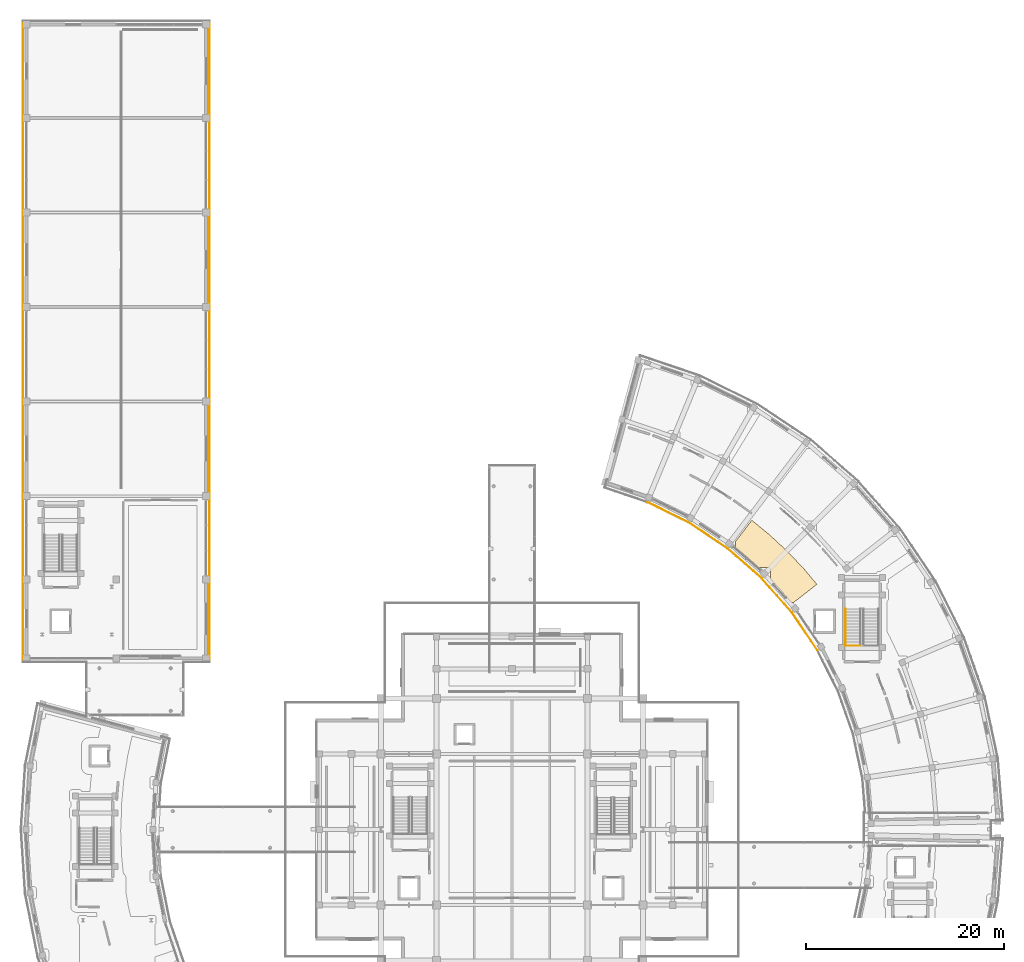
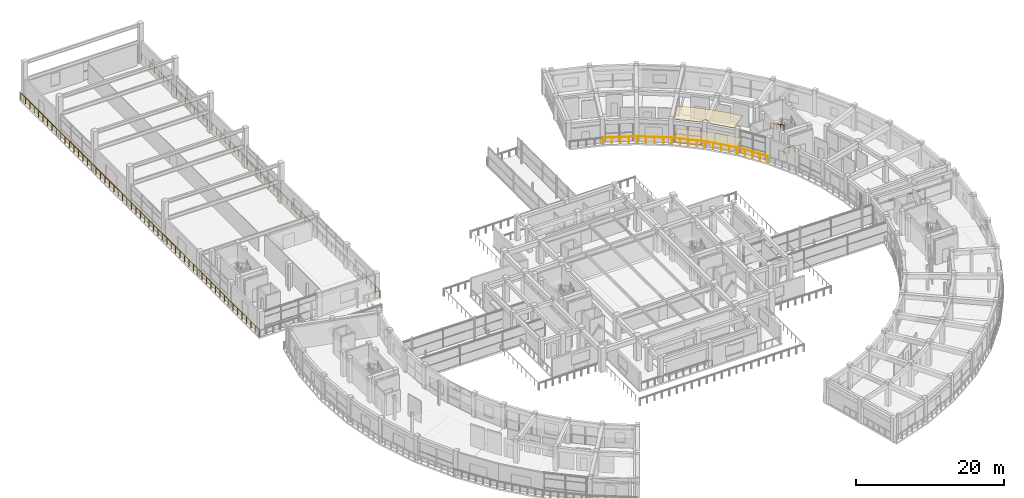
# One storey, part 70 of 72: 9 railings, 2 coverings.
"""IFC4 building model written with IfcOpenShell, lengths in metres."""

from ifc_helpers import new_model, si_unit, direction, frame, origin, origin_2d, place, context, subcontext, project, spatial, polyline, rectangle, outline, extrude, material, layer, layer_set, type_object, element, save


model = new_model("IFC4")

# Units and contexts
model_context = context("Model", 3, precision=1e-05, world=origin(), true_north=direction((0.0, 1.0)))
body_context = subcontext(model_context, "Body", "Model", "MODEL_VIEW")
ifc_project = project(units=[si_unit("LENGTHUNIT", "METRE"), si_unit("AREAUNIT", "SQUARE_METRE"), si_unit("VOLUMEUNIT", "CUBIC_METRE"), si_unit("PLANEANGLEUNIT", "RADIAN"), si_unit("MASSUNIT", "GRAM", prefix="KILO")], contexts=[model_context])

# Site, building, storey
site_placement = place(None, origin())
site = spatial("IfcSite", under=ifc_project, at=site_placement, CompositionType="ELEMENT")
building_placement = place(site_placement, origin())
building = spatial("IfcBuilding", under=site, at=building_placement, Name="Saryqyr Civic Hall", CompositionType="ELEMENT")
storey_placement = place(building_placement, frame((0.0, 0.0, 17.25)))
storey = spatial("IfcBuildingStorey", under=building, at=storey_placement, Name="L04", CompositionType="ELEMENT", Elevation=17.25)

# Coverings
ifc_material_1 = material(Name="Mineral-fibre acoustic ceiling tile", Category="acoustic_tile")
ifc_layer_1 = layer(ifc_material_1, 0.06005859375, Name="Mineral-fibre acoustic ceiling tile")
ifc_layer_set_1 = layer_set([ifc_layer_1], Name="Mineral-fibre acoustic ceiling tile")
covering_type_1 = type_object("IfcCoveringType", Name="INT-COV-CEIL-60", PredefinedType="CEILING", material=ifc_layer_set_1)
covering_1_placement = place(storey_placement, frame((0.0, 0.0, 3.72998046875)))
element("IfcCovering", 1, at=covering_1_placement, inside=storey, type_object=covering_type_1, Name="Acoustic ceiling Protocol & Civic Delegations Office", PredefinedType="CEILING", context=body_context, shape_type="SweptSolid", body=[
    extrude(outline(polyline([(83.02734375, 109.268798828125), (83.037841796875, 109.290771484375), (83.046142578125, 109.31396484375), (83.052001953125, 109.337646484375), (83.0556640625, 109.362060546875), (83.056884765625, 109.386474609375), (83.056884765625, 110.146484375), (83.0556640625, 110.1708984375), (83.052001953125, 110.1953125), (83.046142578125, 110.218994140625), (83.037841796875, 110.2421875), (83.02734375, 110.264404296875), (83.014892578125, 110.285400390625), (83.000244140625, 110.30517578125), (82.983642578125, 110.3232421875), (82.965576171875, 110.33984375), (82.94580078125, 110.3544921875), (82.9248046875, 110.366943359375), (82.902587890625, 110.37744140625), (82.87939453125, 110.3857421875), (82.855712890625, 110.3916015625), (82.831298828125, 110.395263671875), (82.806884765625, 110.396484375), (82.046875, 110.396484375), (82.0224609375, 110.395263671875), (81.998046875, 110.3916015625), (81.974365234375, 110.3857421875), (81.951171875, 110.37744140625), (81.92919921875, 110.366943359375), (81.907958984375, 110.3544921875), (81.900634765625, 110.348876953125), (80.826416015625, 111.345947265625), (80.7998046875, 111.369140625), (79.52099609375, 112.412109375), (79.522705078125, 112.42431640625), (79.52392578125, 112.44873046875), (79.52392578125, 113.025390625), (81.1689453125, 115.1689453125), (82.90087890625, 113.756103515625), (84.748779296875, 112.041015625), (86.483154296875, 110.2109375), (87.732421875, 108.712158203125), (85.41650390625, 106.904541015625), (85.15576171875, 106.904541015625), (85.131103515625, 106.9033203125), (85.10693359375, 106.899658203125), (85.106201171875, 106.8994140625), (84.118408203125, 108.0849609375), (84.094970703125, 108.111328125), (83.01611328125, 109.24951171875), (83.02734375, 109.268798828125)])), origin(), (0.0, 0.0, 1.0), 0.06005859375),
])
ifc_material_2 = material(Name="Polished terrazzo tile", Category="stone")
ifc_layer_2 = layer(ifc_material_2, 0.030029296875, Name="Polished terrazzo tile")
ifc_layer_set_2 = layer_set([ifc_layer_2], Name="Polished terrazzo tile")
covering_type_2 = type_object("IfcCoveringType", Name="INT-COV-FLR-30", PredefinedType="FLOORING", material=ifc_layer_set_2)
covering_2_placement = place(storey_placement, origin())
element("IfcCovering", 2, at=covering_2_placement, inside=storey, type_object=covering_type_2, Name="Polished terrazzo flooring Protocol & Civic Delegations Office", PredefinedType="FLOORING", context=body_context, shape_type="SweptSolid", body=[
    extrude(outline(polyline([(83.02734375, 109.268798828125), (83.037841796875, 109.290771484375), (83.046142578125, 109.31396484375), (83.052001953125, 109.337646484375), (83.0556640625, 109.362060546875), (83.056884765625, 109.386474609375), (83.056884765625, 110.146484375), (83.0556640625, 110.1708984375), (83.052001953125, 110.1953125), (83.046142578125, 110.218994140625), (83.037841796875, 110.2421875), (83.02734375, 110.264404296875), (83.014892578125, 110.285400390625), (83.000244140625, 110.30517578125), (82.983642578125, 110.3232421875), (82.965576171875, 110.33984375), (82.94580078125, 110.3544921875), (82.9248046875, 110.366943359375), (82.902587890625, 110.37744140625), (82.87939453125, 110.3857421875), (82.855712890625, 110.3916015625), (82.831298828125, 110.395263671875), (82.806884765625, 110.396484375), (82.046875, 110.396484375), (82.0224609375, 110.395263671875), (81.998046875, 110.3916015625), (81.974365234375, 110.3857421875), (81.951171875, 110.37744140625), (81.92919921875, 110.366943359375), (81.907958984375, 110.3544921875), (81.900634765625, 110.348876953125), (80.826416015625, 111.345947265625), (80.7998046875, 111.369140625), (79.52099609375, 112.412109375), (79.522705078125, 112.42431640625), (79.52392578125, 112.44873046875), (79.52392578125, 113.025390625), (81.1689453125, 115.1689453125), (82.90087890625, 113.756103515625), (84.748779296875, 112.041015625), (86.483154296875, 110.2109375), (87.732421875, 108.712158203125), (85.41650390625, 106.904541015625), (85.15576171875, 106.904541015625), (85.131103515625, 106.9033203125), (85.10693359375, 106.899658203125), (85.106201171875, 106.8994140625), (84.118408203125, 108.0849609375), (84.094970703125, 108.111328125), (83.01611328125, 109.24951171875), (83.02734375, 109.268798828125)])), origin(), (0.0, 0.0, 1.0), 0.030029296875),
])

# Railings
ifc_material_3 = material(Name="Warm brushed brass and laminated glass", Category="glass")
ifc_layer_3 = layer(ifc_material_3, 0.06005859375, Name="Warm brushed brass and laminated glass")
ifc_layer_set_3 = layer_set([ifc_layer_3], Name="Warm brushed brass and laminated glass")
railing_type_1 = type_object("IfcRailingType", Name="INT-RLG-BAL-1100", PredefinedType="BALUSTRADE", material=ifc_layer_set_3)
railing_1_placement = place(storey_placement, frame((7.699951171875, 100.89990234375, 0.0)))
element("IfcRailing", 3, at=railing_1_placement, inside=storey, type_object=railing_type_1, Name="Interior deck safety balustrade L04-016", PredefinedType="BALUSTRADE", context=body_context, shape_type="SweptSolid", body=[
    extrude(rectangle(XDim=0.048095703125, YDim=0.048095703125, at=origin_2d()), frame((0.0, 0.0, 1.09619140625), z_axis=(0.0, 1.0, 0.0), x_axis=(-1.0, 0.0, 0.0)), (0.0, 0.0, 1.0), 64.60009765625),
    extrude(rectangle(XDim=0.0419921875, YDim=0.0419921875, at=origin_2d()), origin(), (0.0, 0.0, 1.0), 1.072021484375),
    extrude(rectangle(XDim=0.0419921875, YDim=0.0419921875, at=origin_2d()), frame((0.0, 1.1962890625, 0.0)), (0.0, 0.0, 1.0), 1.072021484375),
    extrude(rectangle(XDim=0.0419921875, YDim=0.0419921875, at=origin_2d()), frame((0.0, 2.392578125, 0.0)), (0.0, 0.0, 1.0), 1.072021484375),
    extrude(rectangle(XDim=0.0419921875, YDim=0.0419921875, at=origin_2d()), frame((0.0, 3.5888671875, 0.0)), (0.0, 0.0, 1.0), 1.072021484375),
    extrude(rectangle(XDim=0.0419921875, YDim=0.0419921875, at=origin_2d()), frame((0.0, 4.78515625, 0.0)), (0.0, 0.0, 1.0), 1.072021484375),
    extrude(rectangle(XDim=0.0419921875, YDim=0.0419921875, at=origin_2d()), frame((0.0, 5.9814453125, 0.0)), (0.0, 0.0, 1.0), 1.072021484375),
    extrude(rectangle(XDim=0.0419921875, YDim=0.0419921875, at=origin_2d()), frame((0.0, 7.177734375, 0.0)), (0.0, 0.0, 1.0), 1.072021484375),
    extrude(rectangle(XDim=0.0419921875, YDim=0.0419921875, at=origin_2d()), frame((0.0, 8.3740234375, 0.0)), (0.0, 0.0, 1.0), 1.072021484375),
    extrude(rectangle(XDim=0.0419921875, YDim=0.0419921875, at=origin_2d()), frame((0.0, 9.5703125, 0.0)), (0.0, 0.0, 1.0), 1.072021484375),
    extrude(rectangle(XDim=0.0419921875, YDim=0.0419921875, at=origin_2d()), frame((0.0, 10.7666015625, 0.0)), (0.0, 0.0, 1.0), 1.072021484375),
    extrude(rectangle(XDim=0.0419921875, YDim=0.0419921875, at=origin_2d()), frame((0.0, 11.962890625, 0.0)), (0.0, 0.0, 1.0), 1.072021484375),
    extrude(rectangle(XDim=0.0419921875, YDim=0.0419921875, at=origin_2d()), frame((0.0, 13.1591796875, 0.0)), (0.0, 0.0, 1.0), 1.072021484375),
    extrude(rectangle(XDim=0.0419921875, YDim=0.0419921875, at=origin_2d()), frame((0.0, 14.35546875, 0.0)), (0.0, 0.0, 1.0), 1.072021484375),
    extrude(rectangle(XDim=0.0419921875, YDim=0.0419921875, at=origin_2d()), frame((0.0, 15.5517578125, 0.0)), (0.0, 0.0, 1.0), 1.072021484375),
    extrude(rectangle(XDim=0.0419921875, YDim=0.0419921875, at=origin_2d()), frame((0.0, 16.748291015625, 0.0)), (0.0, 0.0, 1.0), 1.072021484375),
    extrude(rectangle(XDim=0.0419921875, YDim=0.0419921875, at=origin_2d()), frame((0.0, 17.944580078125, 0.0)), (0.0, 0.0, 1.0), 1.072021484375),
    extrude(rectangle(XDim=0.0419921875, YDim=0.0419921875, at=origin_2d()), frame((0.0, 19.140869140625, 0.0)), (0.0, 0.0, 1.0), 1.072021484375),
    extrude(rectangle(XDim=0.0419921875, YDim=0.0419921875, at=origin_2d()), frame((0.0, 20.337158203125, 0.0)), (0.0, 0.0, 1.0), 1.072021484375),
    extrude(rectangle(XDim=0.0419921875, YDim=0.0419921875, at=origin_2d()), frame((0.0, 21.533447265625, 0.0)), (0.0, 0.0, 1.0), 1.072021484375),
    extrude(rectangle(XDim=0.0419921875, YDim=0.0419921875, at=origin_2d()), frame((0.0, 22.729736328125, 0.0)), (0.0, 0.0, 1.0), 1.072021484375),
    extrude(rectangle(XDim=0.0419921875, YDim=0.0419921875, at=origin_2d()), frame((0.0, 23.926025390625, 0.0)), (0.0, 0.0, 1.0), 1.072021484375),
    extrude(rectangle(XDim=0.0419921875, YDim=0.0419921875, at=origin_2d()), frame((0.0, 25.122314453125, 0.0)), (0.0, 0.0, 1.0), 1.072021484375),
    extrude(rectangle(XDim=0.0419921875, YDim=0.0419921875, at=origin_2d()), frame((0.0, 26.318603515625, 0.0)), (0.0, 0.0, 1.0), 1.072021484375),
    extrude(rectangle(XDim=0.0419921875, YDim=0.0419921875, at=origin_2d()), frame((0.0, 27.514892578125, 0.0)), (0.0, 0.0, 1.0), 1.072021484375),
    extrude(rectangle(XDim=0.0419921875, YDim=0.0419921875, at=origin_2d()), frame((0.0, 28.711181640625, 0.0)), (0.0, 0.0, 1.0), 1.072021484375),
    extrude(rectangle(XDim=0.0419921875, YDim=0.0419921875, at=origin_2d()), frame((0.0, 29.907470703125, 0.0)), (0.0, 0.0, 1.0), 1.072021484375),
    extrude(rectangle(XDim=0.0419921875, YDim=0.0419921875, at=origin_2d()), frame((0.0, 31.103759765625, 0.0)), (0.0, 0.0, 1.0), 1.072021484375),
    extrude(rectangle(XDim=0.0419921875, YDim=0.0419921875, at=origin_2d()), frame((0.0, 32.300048828125, 0.0)), (0.0, 0.0, 1.0), 1.072021484375),
    extrude(rectangle(XDim=0.0419921875, YDim=0.0419921875, at=origin_2d()), frame((0.0, 33.496337890625, 0.0)), (0.0, 0.0, 1.0), 1.072021484375),
    extrude(rectangle(XDim=0.0419921875, YDim=0.0419921875, at=origin_2d()), frame((0.0, 34.692626953125, 0.0)), (0.0, 0.0, 1.0), 1.072021484375),
    extrude(rectangle(XDim=0.0419921875, YDim=0.0419921875, at=origin_2d()), frame((0.0, 35.888916015625, 0.0)), (0.0, 0.0, 1.0), 1.072021484375),
    extrude(rectangle(XDim=0.0419921875, YDim=0.0419921875, at=origin_2d()), frame((0.0, 37.085205078125, 0.0)), (0.0, 0.0, 1.0), 1.072021484375),
    extrude(rectangle(XDim=0.0419921875, YDim=0.0419921875, at=origin_2d()), frame((0.0, 38.281494140625, 0.0)), (0.0, 0.0, 1.0), 1.072021484375),
    extrude(rectangle(XDim=0.0419921875, YDim=0.0419921875, at=origin_2d()), frame((0.0, 39.477783203125, 0.0)), (0.0, 0.0, 1.0), 1.072021484375),
    extrude(rectangle(XDim=0.0419921875, YDim=0.0419921875, at=origin_2d()), frame((0.0, 40.674072265625, 0.0)), (0.0, 0.0, 1.0), 1.072021484375),
    extrude(rectangle(XDim=0.0419921875, YDim=0.0419921875, at=origin_2d()), frame((0.0, 41.870361328125, 0.0)), (0.0, 0.0, 1.0), 1.072021484375),
    extrude(rectangle(XDim=0.0419921875, YDim=0.0419921875, at=origin_2d()), frame((0.0, 43.066650390625, 0.0)), (0.0, 0.0, 1.0), 1.072021484375),
    extrude(rectangle(XDim=0.0419921875, YDim=0.0419921875, at=origin_2d()), frame((0.0, 44.262939453125, 0.0)), (0.0, 0.0, 1.0), 1.072021484375),
    extrude(rectangle(XDim=0.0419921875, YDim=0.0419921875, at=origin_2d()), frame((0.0, 45.459228515625, 0.0)), (0.0, 0.0, 1.0), 1.072021484375),
    extrude(rectangle(XDim=0.0419921875, YDim=0.0419921875, at=origin_2d()), frame((0.0, 46.655517578125, 0.0)), (0.0, 0.0, 1.0), 1.072021484375),
    extrude(rectangle(XDim=0.0419921875, YDim=0.0419921875, at=origin_2d()), frame((0.0, 47.851806640625, 0.0)), (0.0, 0.0, 1.0), 1.072021484375),
    extrude(rectangle(XDim=0.0419921875, YDim=0.0419921875, at=origin_2d()), frame((0.0, 49.04833984375, 0.0)), (0.0, 0.0, 1.0), 1.072021484375),
    extrude(rectangle(XDim=0.0419921875, YDim=0.0419921875, at=origin_2d()), frame((0.0, 50.24462890625, 0.0)), (0.0, 0.0, 1.0), 1.072021484375),
    extrude(rectangle(XDim=0.0419921875, YDim=0.0419921875, at=origin_2d()), frame((0.0, 51.44091796875, 0.0)), (0.0, 0.0, 1.0), 1.072021484375),
    extrude(rectangle(XDim=0.0419921875, YDim=0.0419921875, at=origin_2d()), frame((0.0, 52.63720703125, 0.0)), (0.0, 0.0, 1.0), 1.072021484375),
    extrude(rectangle(XDim=0.0419921875, YDim=0.0419921875, at=origin_2d()), frame((0.0, 53.83349609375, 0.0)), (0.0, 0.0, 1.0), 1.072021484375),
    extrude(rectangle(XDim=0.0419921875, YDim=0.0419921875, at=origin_2d()), frame((0.0, 55.02978515625, 0.0)), (0.0, 0.0, 1.0), 1.072021484375),
    extrude(rectangle(XDim=0.0419921875, YDim=0.0419921875, at=origin_2d()), frame((0.0, 56.22607421875, 0.0)), (0.0, 0.0, 1.0), 1.072021484375),
    extrude(rectangle(XDim=0.0419921875, YDim=0.0419921875, at=origin_2d()), frame((0.0, 57.42236328125, 0.0)), (0.0, 0.0, 1.0), 1.072021484375),
    extrude(rectangle(XDim=0.0419921875, YDim=0.0419921875, at=origin_2d()), frame((0.0, 58.61865234375, 0.0)), (0.0, 0.0, 1.0), 1.072021484375),
    extrude(rectangle(XDim=0.0419921875, YDim=0.0419921875, at=origin_2d()), frame((0.0, 59.81494140625, 0.0)), (0.0, 0.0, 1.0), 1.072021484375),
    extrude(rectangle(XDim=0.0419921875, YDim=0.0419921875, at=origin_2d()), frame((0.0, 61.01123046875, 0.0)), (0.0, 0.0, 1.0), 1.072021484375),
    extrude(rectangle(XDim=0.0419921875, YDim=0.0419921875, at=origin_2d()), frame((0.0, 62.20751953125, 0.0)), (0.0, 0.0, 1.0), 1.072021484375),
    extrude(rectangle(XDim=0.0419921875, YDim=0.0419921875, at=origin_2d()), frame((0.0, 63.40380859375, 0.0)), (0.0, 0.0, 1.0), 1.072021484375),
    extrude(rectangle(XDim=0.0419921875, YDim=0.0419921875, at=origin_2d()), frame((0.0, 64.60009765625, 0.0)), (0.0, 0.0, 1.0), 1.072021484375),
])
railing_2_placement = place(storey_placement, frame((26.5, 165.5, 0.0)))
element("IfcRailing", 4, at=railing_2_placement, inside=storey, type_object=railing_type_1, Name="Interior deck safety balustrade L04-018", PredefinedType="BALUSTRADE", context=body_context, shape_type="SweptSolid", body=[
    extrude(rectangle(XDim=0.048095703125, YDim=0.048095703125, at=origin_2d()), frame((0.0, 0.0, 1.09619140625), z_axis=(0.0, -1.0, 0.0), x_axis=(1.0, 0.0, 0.0)), (0.0, 0.0, 1.0), 64.60009765625),
    extrude(rectangle(XDim=0.0419921875, YDim=0.0419921875, at=origin_2d()), origin(), (0.0, 0.0, 1.0), 1.072021484375),
    extrude(rectangle(XDim=0.0419921875, YDim=0.0419921875, at=origin_2d()), frame((0.0, -1.1962890625, 0.0)), (0.0, 0.0, 1.0), 1.072021484375),
    extrude(rectangle(XDim=0.0419921875, YDim=0.0419921875, at=origin_2d()), frame((0.0, -2.392578125, 0.0)), (0.0, 0.0, 1.0), 1.072021484375),
    extrude(rectangle(XDim=0.0419921875, YDim=0.0419921875, at=origin_2d()), frame((0.0, -3.5888671875, 0.0)), (0.0, 0.0, 1.0), 1.072021484375),
    extrude(rectangle(XDim=0.0419921875, YDim=0.0419921875, at=origin_2d()), frame((0.0, -4.78515625, 0.0)), (0.0, 0.0, 1.0), 1.072021484375),
    extrude(rectangle(XDim=0.0419921875, YDim=0.0419921875, at=origin_2d()), frame((0.0, -5.9814453125, 0.0)), (0.0, 0.0, 1.0), 1.072021484375),
    extrude(rectangle(XDim=0.0419921875, YDim=0.0419921875, at=origin_2d()), frame((0.0, -7.177734375, 0.0)), (0.0, 0.0, 1.0), 1.072021484375),
    extrude(rectangle(XDim=0.0419921875, YDim=0.0419921875, at=origin_2d()), frame((0.0, -8.3740234375, 0.0)), (0.0, 0.0, 1.0), 1.072021484375),
    extrude(rectangle(XDim=0.0419921875, YDim=0.0419921875, at=origin_2d()), frame((0.0, -9.5703125, 0.0)), (0.0, 0.0, 1.0), 1.072021484375),
    extrude(rectangle(XDim=0.0419921875, YDim=0.0419921875, at=origin_2d()), frame((0.0, -10.7666015625, 0.0)), (0.0, 0.0, 1.0), 1.072021484375),
    extrude(rectangle(XDim=0.0419921875, YDim=0.0419921875, at=origin_2d()), frame((0.0, -11.962890625, 0.0)), (0.0, 0.0, 1.0), 1.072021484375),
    extrude(rectangle(XDim=0.0419921875, YDim=0.0419921875, at=origin_2d()), frame((0.0, -13.1591796875, 0.0)), (0.0, 0.0, 1.0), 1.072021484375),
    extrude(rectangle(XDim=0.0419921875, YDim=0.0419921875, at=origin_2d()), frame((0.0, -14.35546875, 0.0)), (0.0, 0.0, 1.0), 1.072021484375),
    extrude(rectangle(XDim=0.0419921875, YDim=0.0419921875, at=origin_2d()), frame((0.0, -15.5517578125, 0.0)), (0.0, 0.0, 1.0), 1.072021484375),
    extrude(rectangle(XDim=0.0419921875, YDim=0.0419921875, at=origin_2d()), frame((0.0, -16.748291015625, 0.0)), (0.0, 0.0, 1.0), 1.072021484375),
    extrude(rectangle(XDim=0.0419921875, YDim=0.0419921875, at=origin_2d()), frame((0.0, -17.944580078125, 0.0)), (0.0, 0.0, 1.0), 1.072021484375),
    extrude(rectangle(XDim=0.0419921875, YDim=0.0419921875, at=origin_2d()), frame((0.0, -19.140869140625, 0.0)), (0.0, 0.0, 1.0), 1.072021484375),
    extrude(rectangle(XDim=0.0419921875, YDim=0.0419921875, at=origin_2d()), frame((0.0, -20.337158203125, 0.0)), (0.0, 0.0, 1.0), 1.072021484375),
    extrude(rectangle(XDim=0.0419921875, YDim=0.0419921875, at=origin_2d()), frame((0.0, -21.533447265625, 0.0)), (0.0, 0.0, 1.0), 1.072021484375),
    extrude(rectangle(XDim=0.0419921875, YDim=0.0419921875, at=origin_2d()), frame((0.0, -22.729736328125, 0.0)), (0.0, 0.0, 1.0), 1.072021484375),
    extrude(rectangle(XDim=0.0419921875, YDim=0.0419921875, at=origin_2d()), frame((0.0, -23.926025390625, 0.0)), (0.0, 0.0, 1.0), 1.072021484375),
    extrude(rectangle(XDim=0.0419921875, YDim=0.0419921875, at=origin_2d()), frame((0.0, -25.122314453125, 0.0)), (0.0, 0.0, 1.0), 1.072021484375),
    extrude(rectangle(XDim=0.0419921875, YDim=0.0419921875, at=origin_2d()), frame((0.0, -26.318603515625, 0.0)), (0.0, 0.0, 1.0), 1.072021484375),
    extrude(rectangle(XDim=0.0419921875, YDim=0.0419921875, at=origin_2d()), frame((0.0, -27.514892578125, 0.0)), (0.0, 0.0, 1.0), 1.072021484375),
    extrude(rectangle(XDim=0.0419921875, YDim=0.0419921875, at=origin_2d()), frame((0.0, -28.711181640625, 0.0)), (0.0, 0.0, 1.0), 1.072021484375),
    extrude(rectangle(XDim=0.0419921875, YDim=0.0419921875, at=origin_2d()), frame((0.0, -29.907470703125, 0.0)), (0.0, 0.0, 1.0), 1.072021484375),
    extrude(rectangle(XDim=0.0419921875, YDim=0.0419921875, at=origin_2d()), frame((0.0, -31.103759765625, 0.0)), (0.0, 0.0, 1.0), 1.072021484375),
    extrude(rectangle(XDim=0.0419921875, YDim=0.0419921875, at=origin_2d()), frame((0.0, -32.300048828125, 0.0)), (0.0, 0.0, 1.0), 1.072021484375),
    extrude(rectangle(XDim=0.0419921875, YDim=0.0419921875, at=origin_2d()), frame((0.0, -33.496337890625, 0.0)), (0.0, 0.0, 1.0), 1.072021484375),
    extrude(rectangle(XDim=0.0419921875, YDim=0.0419921875, at=origin_2d()), frame((0.0, -34.692626953125, 0.0)), (0.0, 0.0, 1.0), 1.072021484375),
    extrude(rectangle(XDim=0.0419921875, YDim=0.0419921875, at=origin_2d()), frame((0.0, -35.888916015625, 0.0)), (0.0, 0.0, 1.0), 1.072021484375),
    extrude(rectangle(XDim=0.0419921875, YDim=0.0419921875, at=origin_2d()), frame((0.0, -37.085205078125, 0.0)), (0.0, 0.0, 1.0), 1.072021484375),
    extrude(rectangle(XDim=0.0419921875, YDim=0.0419921875, at=origin_2d()), frame((0.0, -38.281494140625, 0.0)), (0.0, 0.0, 1.0), 1.072021484375),
    extrude(rectangle(XDim=0.0419921875, YDim=0.0419921875, at=origin_2d()), frame((0.0, -39.477783203125, 0.0)), (0.0, 0.0, 1.0), 1.072021484375),
    extrude(rectangle(XDim=0.0419921875, YDim=0.0419921875, at=origin_2d()), frame((0.0, -40.674072265625, 0.0)), (0.0, 0.0, 1.0), 1.072021484375),
    extrude(rectangle(XDim=0.0419921875, YDim=0.0419921875, at=origin_2d()), frame((0.0, -41.870361328125, 0.0)), (0.0, 0.0, 1.0), 1.072021484375),
    extrude(rectangle(XDim=0.0419921875, YDim=0.0419921875, at=origin_2d()), frame((0.0, -43.066650390625, 0.0)), (0.0, 0.0, 1.0), 1.072021484375),
    extrude(rectangle(XDim=0.0419921875, YDim=0.0419921875, at=origin_2d()), frame((0.0, -44.262939453125, 0.0)), (0.0, 0.0, 1.0), 1.072021484375),
    extrude(rectangle(XDim=0.0419921875, YDim=0.0419921875, at=origin_2d()), frame((0.0, -45.459228515625, 0.0)), (0.0, 0.0, 1.0), 1.072021484375),
    extrude(rectangle(XDim=0.0419921875, YDim=0.0419921875, at=origin_2d()), frame((0.0, -46.655517578125, 0.0)), (0.0, 0.0, 1.0), 1.072021484375),
    extrude(rectangle(XDim=0.0419921875, YDim=0.0419921875, at=origin_2d()), frame((0.0, -47.851806640625, 0.0)), (0.0, 0.0, 1.0), 1.072021484375),
    extrude(rectangle(XDim=0.0419921875, YDim=0.0419921875, at=origin_2d()), frame((0.0, -49.04833984375, 0.0)), (0.0, 0.0, 1.0), 1.072021484375),
    extrude(rectangle(XDim=0.0419921875, YDim=0.0419921875, at=origin_2d()), frame((0.0, -50.24462890625, 0.0)), (0.0, 0.0, 1.0), 1.072021484375),
    extrude(rectangle(XDim=0.0419921875, YDim=0.0419921875, at=origin_2d()), frame((0.0, -51.44091796875, 0.0)), (0.0, 0.0, 1.0), 1.072021484375),
    extrude(rectangle(XDim=0.0419921875, YDim=0.0419921875, at=origin_2d()), frame((0.0, -52.63720703125, 0.0)), (0.0, 0.0, 1.0), 1.072021484375),
    extrude(rectangle(XDim=0.0419921875, YDim=0.0419921875, at=origin_2d()), frame((0.0, -53.83349609375, 0.0)), (0.0, 0.0, 1.0), 1.072021484375),
    extrude(rectangle(XDim=0.0419921875, YDim=0.0419921875, at=origin_2d()), frame((0.0, -55.02978515625, 0.0)), (0.0, 0.0, 1.0), 1.072021484375),
    extrude(rectangle(XDim=0.0419921875, YDim=0.0419921875, at=origin_2d()), frame((0.0, -56.22607421875, 0.0)), (0.0, 0.0, 1.0), 1.072021484375),
    extrude(rectangle(XDim=0.0419921875, YDim=0.0419921875, at=origin_2d()), frame((0.0, -57.42236328125, 0.0)), (0.0, 0.0, 1.0), 1.072021484375),
    extrude(rectangle(XDim=0.0419921875, YDim=0.0419921875, at=origin_2d()), frame((0.0, -58.61865234375, 0.0)), (0.0, 0.0, 1.0), 1.072021484375),
    extrude(rectangle(XDim=0.0419921875, YDim=0.0419921875, at=origin_2d()), frame((0.0, -59.81494140625, 0.0)), (0.0, 0.0, 1.0), 1.072021484375),
    extrude(rectangle(XDim=0.0419921875, YDim=0.0419921875, at=origin_2d()), frame((0.0, -61.01123046875, 0.0)), (0.0, 0.0, 1.0), 1.072021484375),
    extrude(rectangle(XDim=0.0419921875, YDim=0.0419921875, at=origin_2d()), frame((0.0, -62.20751953125, 0.0)), (0.0, 0.0, 1.0), 1.072021484375),
    extrude(rectangle(XDim=0.0419921875, YDim=0.0419921875, at=origin_2d()), frame((0.0, -63.40380859375, 0.0)), (0.0, 0.0, 1.0), 1.072021484375),
    extrude(rectangle(XDim=0.0419921875, YDim=0.0419921875, at=origin_2d()), frame((0.0, -64.60009765625, 0.0)), (0.0, 0.0, 1.0), 1.072021484375),
])
railing_3_placement = place(storey_placement, frame((87.78955078125, 102.0693359375, 0.0)))
element("IfcRailing", 5, at=railing_3_placement, inside=storey, type_object=railing_type_1, Name="Interior deck safety balustrade L04-039", PredefinedType="BALUSTRADE", context=body_context, shape_type="SweptSolid", body=[
    extrude(rectangle(XDim=0.048095703125, YDim=0.048095703125, at=origin_2d()), frame((0.0, 0.0, 1.09619140625), z_axis=(-0.560473726113, 0.828172205726, 0.0), x_axis=(-0.828172205726, -0.560473726113, 0.0)), (0.0, 0.0, 1.0), 4.58544921875),
    extrude(rectangle(XDim=0.0419921875, YDim=0.0419921875, at=origin_2d()), origin(), (0.0, 0.0, 1.0), 1.072021484375),
    extrude(rectangle(XDim=0.0419921875, YDim=0.0419921875, at=origin_2d()), frame((-0.642578125, 0.949462890625, 0.0)), (0.0, 0.0, 1.0), 1.072021484375),
    extrude(rectangle(XDim=0.0419921875, YDim=0.0419921875, at=origin_2d()), frame((-1.28515625, 1.89892578125, 0.0)), (0.0, 0.0, 1.0), 1.072021484375),
    extrude(rectangle(XDim=0.0419921875, YDim=0.0419921875, at=origin_2d()), frame((-1.927490234375, 2.84814453125, 0.0)), (0.0, 0.0, 1.0), 1.072021484375),
    extrude(rectangle(XDim=0.0419921875, YDim=0.0419921875, at=origin_2d()), frame((-2.570068359375, 3.797607421875, 0.0)), (0.0, 0.0, 1.0), 1.072021484375),
])
railing_4_placement = place(storey_placement, frame((85.219482421875, 105.866943359375, 0.0)))
element("IfcRailing", 6, at=railing_4_placement, inside=storey, type_object=railing_type_1, Name="Interior deck safety balustrade L04-040", PredefinedType="BALUSTRADE", context=body_context, shape_type="SweptSolid", body=[
    extrude(rectangle(XDim=0.048095703125, YDim=0.048095703125, at=origin_2d()), frame((0.0, 0.0, 1.09619140625), z_axis=(-0.661984324171, 0.74951768128, 0.0), x_axis=(-0.74951768128, -0.661984324171, 0.0)), (0.0, 0.0, 1.0), 4.585205078125),
    extrude(rectangle(XDim=0.0419921875, YDim=0.0419921875, at=origin_2d()), origin(), (0.0, 0.0, 1.0), 1.072021484375),
    extrude(rectangle(XDim=0.0419921875, YDim=0.0419921875, at=origin_2d()), frame((-0.7587890625, 0.859130859375, 0.0)), (0.0, 0.0, 1.0), 1.072021484375),
    extrude(rectangle(XDim=0.0419921875, YDim=0.0419921875, at=origin_2d()), frame((-1.517578125, 1.71826171875, 0.0)), (0.0, 0.0, 1.0), 1.072021484375),
    extrude(rectangle(XDim=0.0419921875, YDim=0.0419921875, at=origin_2d()), frame((-2.276611328125, 2.57763671875, 0.0)), (0.0, 0.0, 1.0), 1.072021484375),
    extrude(rectangle(XDim=0.0419921875, YDim=0.0419921875, at=origin_2d()), frame((-3.035400390625, 3.436767578125, 0.0)), (0.0, 0.0, 1.0), 1.072021484375),
])
railing_5_placement = place(storey_placement, frame((82.18408203125, 109.3037109375, 0.0)))
element("IfcRailing", 7, at=railing_5_placement, inside=storey, type_object=railing_type_1, Name="Interior deck safety balustrade L04-041", PredefinedType="BALUSTRADE", context=body_context, shape_type="SweptSolid", body=[
    extrude(rectangle(XDim=0.048095703125, YDim=0.048095703125, at=origin_2d()), frame((0.0, 0.0, 1.09619140625), z_axis=(-0.752629463161, 0.658444296188, 0.0), x_axis=(-0.658444296188, -0.752629463161, 0.0)), (0.0, 0.0, 1.0), 4.58544921875),
    extrude(rectangle(XDim=0.0419921875, YDim=0.0419921875, at=origin_2d()), origin(), (0.0, 0.0, 1.0), 1.072021484375),
    extrude(rectangle(XDim=0.0419921875, YDim=0.0419921875, at=origin_2d()), frame((-0.86279296875, 0.7548828125, 0.0)), (0.0, 0.0, 1.0), 1.072021484375),
    extrude(rectangle(XDim=0.0419921875, YDim=0.0419921875, at=origin_2d()), frame((-1.7255859375, 1.509765625, 0.0)), (0.0, 0.0, 1.0), 1.072021484375),
    extrude(rectangle(XDim=0.0419921875, YDim=0.0419921875, at=origin_2d()), frame((-2.58837890625, 2.264404296875, 0.0)), (0.0, 0.0, 1.0), 1.072021484375),
    extrude(rectangle(XDim=0.0419921875, YDim=0.0419921875, at=origin_2d()), frame((-3.451171875, 3.019287109375, 0.0)), (0.0, 0.0, 1.0), 1.072021484375),
])
railing_6_placement = place(storey_placement, frame((78.73291015625, 112.322998046875, 0.0)))
element("IfcRailing", 8, at=railing_6_placement, inside=storey, type_object=railing_type_1, Name="Interior deck safety balustrade L04-042", PredefinedType="BALUSTRADE", context=body_context, shape_type="SweptSolid", body=[
    extrude(rectangle(XDim=0.048095703125, YDim=0.048095703125, at=origin_2d()), frame((0.0, 0.0, 1.09619140625), z_axis=(-0.831486832924, 0.555544459674, 0.0), x_axis=(-0.555544459674, -0.831486832924, 0.0)), (0.0, 0.0, 1.0), 4.669677734375),
    extrude(rectangle(XDim=0.0419921875, YDim=0.0419921875, at=origin_2d()), origin(), (0.0, 0.0, 1.0), 1.072021484375),
    extrude(rectangle(XDim=0.0419921875, YDim=0.0419921875, at=origin_2d()), frame((-0.970703125, 0.6484375, 0.0)), (0.0, 0.0, 1.0), 1.072021484375),
    extrude(rectangle(XDim=0.0419921875, YDim=0.0419921875, at=origin_2d()), frame((-1.94140625, 1.297119140625, 0.0)), (0.0, 0.0, 1.0), 1.072021484375),
    extrude(rectangle(XDim=0.0419921875, YDim=0.0419921875, at=origin_2d()), frame((-2.912109375, 1.94580078125, 0.0)), (0.0, 0.0, 1.0), 1.072021484375),
    extrude(rectangle(XDim=0.0419921875, YDim=0.0419921875, at=origin_2d()), frame((-3.8828125, 2.59423828125, 0.0)), (0.0, 0.0, 1.0), 1.072021484375),
])
railing_7_placement = place(storey_placement, frame((74.85009765625, 114.917236328125, 0.0)))
element("IfcRailing", 9, at=railing_7_placement, inside=storey, type_object=railing_type_1, Name="Interior deck safety balustrade L04-043", PredefinedType="BALUSTRADE", context=body_context, shape_type="SweptSolid", body=[
    extrude(rectangle(XDim=0.048095703125, YDim=0.048095703125, at=origin_2d()), frame((0.0, 0.0, 1.09619140625), z_axis=(-0.896870870578, 0.44229248412, 0.0), x_axis=(-0.44229248412, -0.896870870578, 0.0)), (0.0, 0.0, 1.0), 4.669921875),
    extrude(rectangle(XDim=0.0419921875, YDim=0.0419921875, at=origin_2d()), origin(), (0.0, 0.0, 1.0), 1.072021484375),
    extrude(rectangle(XDim=0.0419921875, YDim=0.0419921875, at=origin_2d()), frame((-1.047119140625, 0.516357421875, 0.0)), (0.0, 0.0, 1.0), 1.072021484375),
    extrude(rectangle(XDim=0.0419921875, YDim=0.0419921875, at=origin_2d()), frame((-2.09423828125, 1.03271484375, 0.0)), (0.0, 0.0, 1.0), 1.072021484375),
    extrude(rectangle(XDim=0.0419921875, YDim=0.0419921875, at=origin_2d()), frame((-3.14111328125, 1.549072265625, 0.0)), (0.0, 0.0, 1.0), 1.072021484375),
    extrude(rectangle(XDim=0.0419921875, YDim=0.0419921875, at=origin_2d()), frame((-4.188232421875, 2.0654296875, 0.0)), (0.0, 0.0, 1.0), 1.072021484375),
])
railing_8_placement = place(storey_placement, frame((90.60498046875, 102.52001953125, 0.0)))
element("IfcRailing", 10, at=railing_8_placement, inside=storey, type_object=railing_type_1, Name="Interior deck safety balustrade L04-097", PredefinedType="BALUSTRADE", context=body_context, shape_type="SweptSolid", body=[
    extrude(rectangle(XDim=0.048095703125, YDim=0.048095703125, at=origin_2d()), frame((0.0, 0.0, 1.09619140625), z_axis=(1.0, 0.0, 0.0), x_axis=(0.0, 1.0, 0.0)), (0.0, 0.0, 1.0), 1.574951171875),
    extrude(rectangle(XDim=0.0419921875, YDim=0.0419921875, at=origin_2d()), origin(), (0.0, 0.0, 1.0), 1.072021484375),
    extrude(rectangle(XDim=0.0419921875, YDim=0.0419921875, at=origin_2d()), frame((0.78759765625, 0.0, 0.0)), (0.0, 0.0, 1.0), 1.072021484375),
    extrude(rectangle(XDim=0.0419921875, YDim=0.0419921875, at=origin_2d()), frame((1.574951171875, 0.0, 0.0)), (0.0, 0.0, 1.0), 1.072021484375),
])
ifc_material_4 = material(Name="Stainless steel", Category="steel")
ifc_layer_4 = layer(ifc_material_4, 0.050048828125, Name="Stainless steel")
ifc_layer_set_4 = layer_set([ifc_layer_4], Name="Stainless steel")
railing_type_2 = type_object("IfcRailingType", Name="INT-RLG-HND-900", PredefinedType="HANDRAIL", material=ifc_layer_set_4)
railing_9_placement = place(storey_placement, frame((90.610107421875, 106.219970703125, 2.1806640625)))
element("IfcRailing", 11, at=railing_9_placement, inside=storey, type_object=railing_type_2, Name="L04 ST-6 stair handrail 2", PredefinedType="HANDRAIL", context=body_context, shape_type="SweptSolid", body=[
    extrude(rectangle(XDim=0.048095703125, YDim=0.048095703125, at=origin_2d()), frame((0.0, 0.0, 0.8759765625), z_axis=(0.0, -0.887472880572, 0.460859942119), x_axis=(1.0, 0.0, 0.0)), (0.0, 0.0, 1.0), 4.056396484375),
    extrude(rectangle(XDim=0.0419921875, YDim=0.0419921875, at=origin_2d()), origin(), (0.0, 0.0, 1.0), 0.851806640625),
    extrude(rectangle(XDim=0.0419921875, YDim=0.0419921875, at=origin_2d()), frame((0.0, -0.89990234375, 0.46728515625)), (0.0, 0.0, 1.0), 0.851806640625),
    extrude(rectangle(XDim=0.0419921875, YDim=0.0419921875, at=origin_2d()), frame((0.0, -1.7998046875, 0.9345703125)), (0.0, 0.0, 1.0), 0.851806640625),
    extrude(rectangle(XDim=0.0419921875, YDim=0.0419921875, at=origin_2d()), frame((0.0, -2.699951171875, 1.402099609375)), (0.0, 0.0, 1.0), 0.851806640625),
    extrude(rectangle(XDim=0.0419921875, YDim=0.0419921875, at=origin_2d()), frame((0.0, -3.599853515625, 1.869384765625)), (0.0, 0.0, 1.0), 0.851806640625),
])

save(model, "model.ifc")
